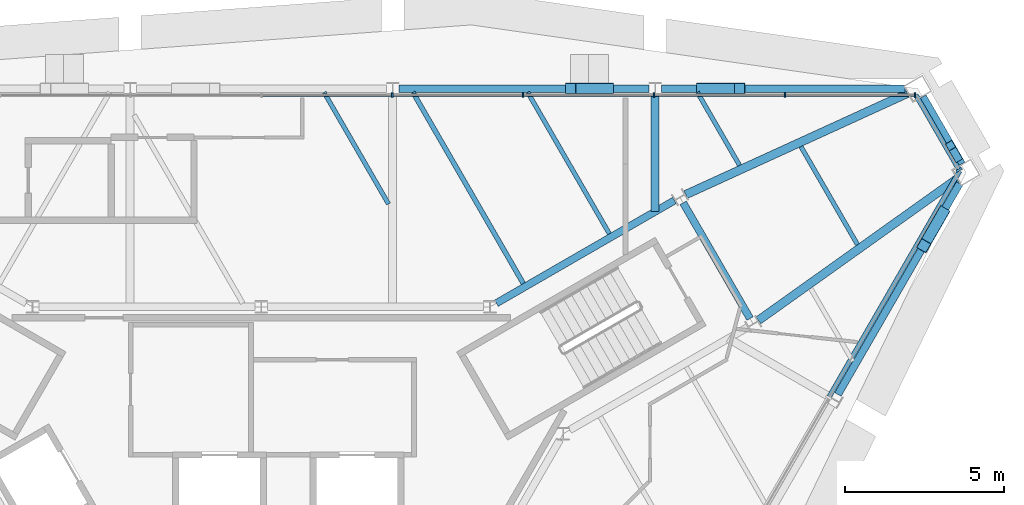
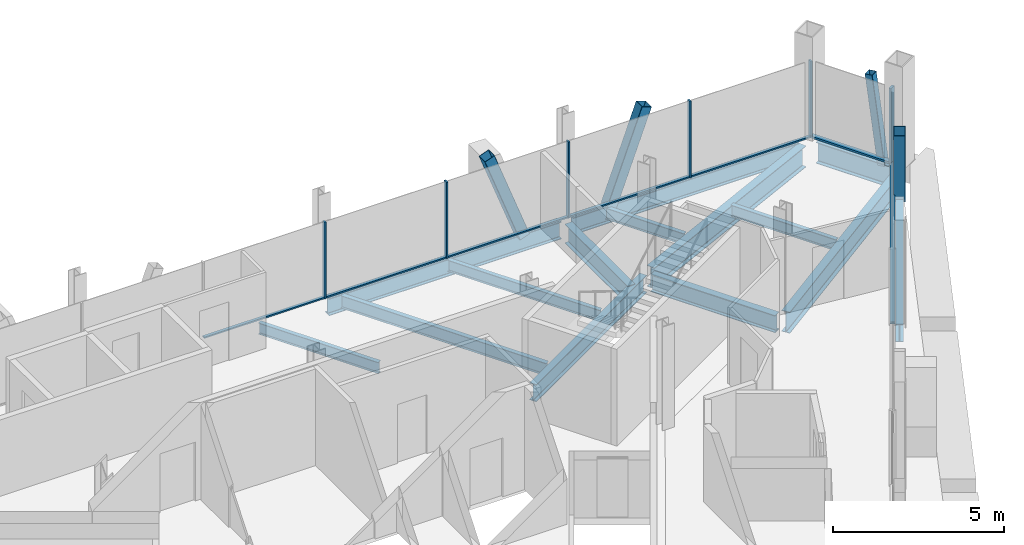
# One storey, part 6 of 11: 17 members, 14 beams, 3 elements without a shape of their own.
"""IFC4 building model written with IfcOpenShell, lengths in metres."""

from ifc_helpers import new_model, si_unit, direction, frame, origin, origin_2d, place, context, subcontext, project, spatial, rectangle, hollow_rectangle, i_section, extrude, material, material_profile, profile_set, type_object, element, aggregate, save


model = new_model("IFC4")

# Units and contexts
model_context = context("Model", 3, precision=1e-05, world=origin(), true_north=direction((0.0, 1.0)))
body_context = subcontext(model_context, "Body", "Model", "MODEL_VIEW")
ifc_project = project(units=[si_unit("LENGTHUNIT", "METRE"), si_unit("AREAUNIT", "SQUARE_METRE"), si_unit("VOLUMEUNIT", "CUBIC_METRE"), si_unit("PLANEANGLEUNIT", "RADIAN"), si_unit("MASSUNIT", "GRAM", prefix="KILO")], contexts=[model_context])

# Site, building, storey
site_placement = place(None, origin())
site = spatial("IfcSite", under=ifc_project, at=site_placement, CompositionType="ELEMENT")
building_placement = place(site_placement, origin())
building = spatial("IfcBuilding", under=site, at=building_placement, Name="Verrane Prism Tower", CompositionType="ELEMENT")
storey_placement = place(building_placement, frame((0.0, 0.0, 267.699951171875)))
storey = spatial("IfcBuildingStorey", under=building, at=storey_placement, Name="L67", CompositionType="ELEMENT", Elevation=267.699951171875)

# Member
ifc_material_1 = material(Name="Steel A500 Grade C", Category="steel")
ifc_material_profile_1 = material_profile(ifc_material_1, hollow_rectangle(XDim=0.25390625, YDim=0.25390625, WallThickness=0.009521484375, InnerFilletRadius=0.0048828125, OuterFilletRadius=0.014404296875, at=origin_2d()), Name="HSS10x10x3/8")
ifc_profile_set_1 = profile_set([ifc_material_profile_1], Name="Steel A500 Grade C")
member_type_1 = type_object("IfcMemberType", Name="Chamfer brace HSS10x10x3/8", PredefinedType="BRACE", material=ifc_profile_set_1)
member_1_placement = place(storey_placement, frame((21.846435546875, 11.493408203125, -0.242431640625), z_axis=(-0.067861913608, 0.117357529496, 0.990768374017), x_axis=(-0.865688187955, -0.500583620621, 0.0)))
element("IfcMember", 1, at=member_1_placement, inside=storey, type_object=member_type_1, Name="Chamfer brace NE0 L67", PredefinedType="BRACE", context=body_context, shape_type="SweptSolid", body=[
    extrude(hollow_rectangle(XDim=0.25390625, YDim=0.25390625, WallThickness=0.009521484375, InnerFilletRadius=0.0048828125, OuterFilletRadius=0.014404296875, at=origin_2d()), origin(), (0.0, 0.0, 1.0), 3.13720703125),
])

# Beams
ifc_material_2 = material(Name="Steel A992", Category="steel")
ifc_material_profile_2 = material_profile(ifc_material_2, i_section(OverallWidth=0.2666015625, OverallDepth=0.7568359375, WebThickness=0.013916015625, FlangeThickness=0.019287109375, FilletRadius=0.0166015625, at=origin_2d()), Name="W30x108")
ifc_profile_set_2 = profile_set([ifc_material_profile_2], Name="Steel A992")
beam_type_1 = type_object("IfcBeamType", Name="Chamfer spandrel beam W30x108", PredefinedType="SPANDREL", material=ifc_profile_set_2)
beam_1_placement = place(storey_placement, frame((21.969970703125, 11.27978515625, -0.538330078125), z_axis=(-0.500436097356, 0.865773476415, 0.0), x_axis=(-0.865773476415, -0.500436097356, 0.0)))
element("IfcBeam", 2, at=beam_1_placement, inside=storey, type_object=beam_type_1, Name="Chamfer spandrel beam L67", PredefinedType="SPANDREL", context=body_context, shape_type="SweptSolid", body=[
    extrude(i_section(OverallWidth=0.2666015625, OverallDepth=0.7568359375, WebThickness=0.013916015625, FlangeThickness=0.019287109375, FilletRadius=0.0166015625, at=origin_2d()), origin(), (0.0, 0.0, 1.0), 2.437744140625),
])
ifc_material_3 = material(Name="Steel A992", Category="steel")
ifc_material_profile_3 = material_profile(ifc_material_3, i_section(OverallWidth=0.23046875, OverallDepth=0.6171875, WebThickness=0.01318359375, FlangeThickness=0.022216796875, FilletRadius=0.012939453125, at=origin_2d()), Name="W24x94")
ifc_profile_set_3 = profile_set([ifc_material_profile_3], Name="Steel A992")
beam_type_2 = type_object("IfcBeamType", Name="Core ring girder W24x94", PredefinedType="BEAM", material=ifc_profile_set_3)
beam_2_placement = place(storey_placement, frame((15.339599609375, 6.43359375, -0.55859375), z_axis=(-0.500306681185, 0.865848268903, 0.0), x_axis=(-0.865848268903, -0.500306681185, 0.0)))
element("IfcBeam", 3, at=beam_2_placement, inside=storey, type_object=beam_type_2, Name="Core ring girder L67", PredefinedType="BEAM", context=body_context, shape_type="SweptSolid", body=[
    extrude(i_section(OverallWidth=0.23046875, OverallDepth=0.6171875, WebThickness=0.01318359375, FlangeThickness=0.022216796875, FilletRadius=0.012939453125, at=origin_2d()), origin(), (0.0, 0.0, 1.0), 4.195556640625),
])
beam_3_placement = place(storey_placement, frame((12.96728515625, 10.140380859375, -0.55859375), z_axis=(-0.866080992722, -0.499903704773, 0.0), x_axis=(0.499903704773, -0.866080992722, 0.0)))
element("IfcBeam", 4, at=beam_3_placement, inside=storey, type_object=beam_type_2, Name="Core ring girder L67", PredefinedType="BEAM", context=body_context, shape_type="SweptSolid", body=[
    extrude(i_section(OverallWidth=0.23046875, OverallDepth=0.6171875, WebThickness=0.01318359375, FlangeThickness=0.022216796875, FilletRadius=0.012939453125, at=origin_2d()), origin(), (0.0, 0.0, 1.0), 6.451904296875),
])
ifc_material_4 = material(Name="Steel A992", Category="steel")
ifc_material_profile_4 = material_profile(ifc_material_4, i_section(OverallWidth=0.2666015625, OverallDepth=0.7568359375, WebThickness=0.013916015625, FlangeThickness=0.019287109375, FilletRadius=0.0166015625, at=origin_2d()), Name="W30x108")
ifc_profile_set_4 = profile_set([ifc_material_profile_4], Name="Steel A992")
beam_type_3 = type_object("IfcBeamType", Name="Corner girder W30x108", PredefinedType="BEAM", material=ifc_profile_set_4)
for number, where, z_axis, x_axis, name in (
    (5, (21.833740234375, 10.81591796875, -0.598388671875), (-0.814401339816, -0.580302040067, 0.0), (0.580302040067, -0.814401339816, 0.0), "Corner girder L67"),
    (6, (20.2802734375, 13.50390625, -0.598388671875), (-0.909481370613, -0.415744677065, 0.0), (0.415744677065, -0.909481370613, 0.0), "Corner girder L67"),
):
    element("IfcBeam", number, at=place(storey_placement, frame(where, z_axis=z_axis, x_axis=x_axis)), inside=storey, type_object=beam_type_3, Name=name, PredefinedType="BEAM", context=body_context, shape_type="SweptSolid", body=[
        extrude(i_section(OverallWidth=0.2666015625, OverallDepth=0.7568359375, WebThickness=0.013916015625, FlangeThickness=0.019287109375, FilletRadius=0.0166015625, at=origin_2d()), origin(), (0.0, 0.0, 1.0), 7.650634765625),
    ])

# Members
ifc_material_5 = material(Name="Steel A500 Grade C", Category="steel")
ifc_material_profile_5 = material_profile(ifc_material_5, hollow_rectangle(XDim=0.355712890625, YDim=0.355712890625, WallThickness=0.0126953125, InnerFilletRadius=0.00634765625, OuterFilletRadius=0.01904296875, at=origin_2d()), Name="HSS14x14x1/2")
ifc_profile_set_5 = profile_set([ifc_material_profile_5], Name="Steel A500 Grade C")
member_type_2 = type_object("IfcMemberType", Name="Facade brace HSS14x14x1/2", PredefinedType="BRACE", material=ifc_profile_set_5)
for number, where, z_axis, x_axis, name in (
    (7, (13.826904296875, 13.64990234375, -0.216552734375), (0.34797434891, 0.0, 0.937504054658), (0.0, 1.0, 0.0), "Facade brace N0 L67"),
    (8, (10.893310546875, 13.64990234375, -0.216552734375), (-0.348037289442, 0.0, 0.937480690552), (0.0, -1.0, 0.0), "Facade brace N1 L67"),
):
    element("IfcMember", number, at=place(storey_placement, frame(where, z_axis=z_axis, x_axis=x_axis)), inside=storey, type_object=member_type_2, Name=name, PredefinedType="BRACE", context=body_context, shape_type="SweptSolid", body=[
        extrude(hollow_rectangle(XDim=0.355712890625, YDim=0.355712890625, WallThickness=0.0126953125, InnerFilletRadius=0.00634765625, OuterFilletRadius=0.01904296875, at=origin_2d()), origin(), (0.0, 0.0, 1.0), 3.4091796875),
    ])
member_2_placement = place(storey_placement, frame((21.38671875, 9.7490234375, -0.216552734375), z_axis=(-0.174010693257, -0.30154692564, 0.937437854084), x_axis=(0.86613421761, -0.499811481546, 0.0)))
element("IfcMember", 9, at=member_2_placement, inside=storey, type_object=member_type_2, Name="Facade brace SE4 L67", PredefinedType="BRACE", context=body_context, shape_type="SweptSolid", body=[
    extrude(hollow_rectangle(XDim=0.355712890625, YDim=0.355712890625, WallThickness=0.0126953125, InnerFilletRadius=0.00634765625, OuterFilletRadius=0.01904296875, at=origin_2d()), origin(), (0.0, 0.0, 1.0), 3.409423828125),
])

# Beams
ifc_material_6 = material(Name="Steel A992", Category="steel")
ifc_material_profile_6 = material_profile(ifc_material_6, i_section(OverallWidth=0.140380859375, OverallDepth=0.40380859375, WebThickness=0.007080078125, FlangeThickness=0.01123046875, FilletRadius=0.01025390625, at=origin_2d()), Name="W16x31")
ifc_profile_set_6 = profile_set([ifc_material_profile_6], Name="Steel A992")
beam_type_4 = type_object("IfcBeamType", Name="Floor beam W16x31", PredefinedType="BEAM", material=ifc_profile_set_6)
beam_4_placement = place(storey_placement, frame((15.01123046875, 11.2421875, -0.36181640625), z_axis=(-0.50007632508, 0.865981332994, 0.0), x_axis=(-0.865981332994, -0.50007632508, 0.0)))
element("IfcBeam", 10, at=beam_4_placement, inside=storey, type_object=beam_type_4, Name="Floor beam L67", PredefinedType="BEAM", context=body_context, shape_type="SweptSolid", body=[
    extrude(i_section(OverallWidth=0.140380859375, OverallDepth=0.40380859375, WebThickness=0.007080078125, FlangeThickness=0.01123046875, FilletRadius=0.01025390625, at=origin_2d()), origin(), (0.0, 0.0, 1.0), 2.6474609375),
])
beam_5_placement = place(storey_placement, frame((10.925048828125, 9.094482421875, -0.36181640625), z_axis=(-0.500005474671, 0.866022242959, 0.0), x_axis=(-0.866022242959, -0.500005474671, 0.0)))
element("IfcBeam", 11, at=beam_5_placement, inside=storey, type_object=beam_type_4, Name="Floor beam L67", PredefinedType="BEAM", context=body_context, shape_type="SweptSolid", body=[
    extrude(i_section(OverallWidth=0.140380859375, OverallDepth=0.40380859375, WebThickness=0.007080078125, FlangeThickness=0.01123046875, FilletRadius=0.01025390625, at=origin_2d()), origin(), (0.0, 0.0, 1.0), 5.12744140625),
])
beam_6_placement = place(storey_placement, frame((3.992919921875, 10.029296875, -0.36181640625), z_axis=(-0.499992196334, 0.866029909186, 0.0), x_axis=(-0.866029909186, -0.499992196334, 0.0)))
element("IfcBeam", 12, at=beam_6_placement, inside=storey, type_object=beam_type_4, Name="Floor beam L67", PredefinedType="BEAM", context=body_context, shape_type="SweptSolid", body=[
    extrude(i_section(OverallWidth=0.140380859375, OverallDepth=0.40380859375, WebThickness=0.007080078125, FlangeThickness=0.01123046875, FilletRadius=0.01025390625, at=origin_2d()), origin(), (0.0, 0.0, 1.0), 4.0478515625),
])
beam_7_placement = place(storey_placement, frame((18.712158203125, 8.755615234375, -0.36181640625), z_axis=(-0.499986454343, 0.866033224232, 0.0), x_axis=(-0.866033224232, -0.499986454343, 0.0)))
element("IfcBeam", 13, at=beam_7_placement, inside=storey, type_object=beam_type_4, Name="Floor beam L67", PredefinedType="BEAM", context=body_context, shape_type="SweptSolid", body=[
    extrude(i_section(OverallWidth=0.140380859375, OverallDepth=0.40380859375, WebThickness=0.007080078125, FlangeThickness=0.01123046875, FilletRadius=0.01025390625, at=origin_2d()), origin(), (0.0, 0.0, 1.0), 3.548828125),
])
ifc_material_7 = material(Name="Steel A992", Category="steel")
ifc_material_profile_7 = material_profile(ifc_material_7, i_section(OverallWidth=0.15234375, OverallDepth=0.449462890625, WebThickness=0.007568359375, FlangeThickness=0.0107421875, FilletRadius=0.01025390625, at=origin_2d()), Name="W18x35")
ifc_profile_set_7 = profile_set([ifc_material_profile_7], Name="Steel A992")
beam_type_5 = type_object("IfcBeamType", Name="Floor beam W18x35", PredefinedType="BEAM", material=ifc_profile_set_7)
beam_8_placement = place(storey_placement, frame((8.22265625, 7.53466796875, -0.384765625), z_axis=(-0.500012221024, 0.866018347858, 0.0), x_axis=(-0.866018347858, -0.500012221024, 0.0)))
element("IfcBeam", 14, at=beam_8_placement, inside=storey, type_object=beam_type_5, Name="Floor beam L67", PredefinedType="BEAM", context=body_context, shape_type="SweptSolid", body=[
    extrude(i_section(OverallWidth=0.15234375, OverallDepth=0.449462890625, WebThickness=0.007568359375, FlangeThickness=0.0107421875, FilletRadius=0.01025390625, at=origin_2d()), origin(), (0.0, 0.0, 1.0), 6.928466796875),
])

# Curtain wall, members
ifc_material_8 = material(Name="Aluminium framed insulated glazing", Category="aluminium")
curtain_wall_type_1 = type_object("IfcCurtainWallType", Name="Curtain wall CW-C 4200 module", PredefinedType="NOTDEFINED", material=ifc_material_8)
curtain_wall_1_placement = place(storey_placement, origin())
curtain_wall_1 = element("IfcCurtainWall", 15, at=curtain_wall_1_placement, inside=storey, type_object=curtain_wall_type_1, Name="Glazed curtain wall north face L67", PredefinedType="NOTDEFINED")
ifc_material_9 = material(Name="Aluminium alloy 6063-T6", Category="aluminium")
ifc_material_profile_8 = material_profile(ifc_material_9, rectangle(XDim=0.139892578125, YDim=0.050048828125, at=origin_2d()), Name="Mullion 50x140 aluminium")
ifc_profile_set_8 = profile_set([ifc_material_profile_8], Name="Aluminium alloy 6063-T6")
member_type_3 = type_object("IfcMemberType", Name="Mullion 50x140 aluminium", PredefinedType="MULLION", material=ifc_profile_set_8)
member_3_placement = place(storey_placement, frame((20.52099609375, 13.447265625, 0.0), z_axis=(0.0, 0.0, 1.0), x_axis=(0.0, -1.0, 0.0)))
member_3 = element("IfcMember", 16, at=member_3_placement, type_object=member_type_3, Name="CW66.2 mullion 1", PredefinedType="MULLION", context=body_context, shape_type="SweptSolid", body=[
    extrude(rectangle(XDim=0.139892578125, YDim=0.050048828125, at=origin_2d()), origin(), (0.0, 0.0, 1.0), 2.72314453125),
])
member_4_placement = place(storey_placement, frame((16.436767578125, 13.447265625, 0.0), z_axis=(0.0, 0.0, 1.0), x_axis=(0.0, -1.0, 0.0)))
member_4 = element("IfcMember", 17, at=member_4_placement, type_object=member_type_3, Name="CW66.2 mullion 2", PredefinedType="MULLION", context=body_context, shape_type="SweptSolid", body=[
    extrude(rectangle(XDim=0.139892578125, YDim=0.050048828125, at=origin_2d()), origin(), (0.0, 0.0, 1.0), 2.72314453125),
])
member_5_placement = place(storey_placement, frame((12.32763671875, 13.447265625, 0.0), z_axis=(0.0, 0.0, 1.0), x_axis=(0.0, -1.0, 0.0)))
member_5 = element("IfcMember", 18, at=member_5_placement, type_object=member_type_3, Name="CW66.2 mullion 3", PredefinedType="MULLION", context=body_context, shape_type="SweptSolid", body=[
    extrude(rectangle(XDim=0.139892578125, YDim=0.050048828125, at=origin_2d()), origin(), (0.0, 0.0, 1.0), 2.72314453125),
])
member_6_placement = place(storey_placement, frame((8.218505859375, 13.447265625, 0.0), z_axis=(0.0, 0.0, 1.0), x_axis=(0.0, -1.0, 0.0)))
member_6 = element("IfcMember", 19, at=member_6_placement, type_object=member_type_3, Name="CW66.2 mullion 4", PredefinedType="MULLION", context=body_context, shape_type="SweptSolid", body=[
    extrude(rectangle(XDim=0.139892578125, YDim=0.050048828125, at=origin_2d()), origin(), (0.0, 0.0, 1.0), 2.72314453125),
])
member_7_placement = place(storey_placement, frame((4.109130859375, 13.447265625, 0.0), z_axis=(0.0, 0.0, 1.0), x_axis=(0.0, -1.0, 0.0)))
member_7 = element("IfcMember", 20, at=member_7_placement, type_object=member_type_3, Name="CW66.2 mullion 5", PredefinedType="MULLION", context=body_context, shape_type="SweptSolid", body=[
    extrude(rectangle(XDim=0.139892578125, YDim=0.050048828125, at=origin_2d()), origin(), (0.0, 0.0, 1.0), 2.72314453125),
])

# Curtain wall, member
ifc_material_10 = material(Name="Aluminium framed insulated glazing", Category="aluminium")
curtain_wall_type_2 = type_object("IfcCurtainWallType", Name="Curtain wall CW-A 8400 module", PredefinedType="NOTDEFINED", material=ifc_material_10)
curtain_wall_2_placement = place(storey_placement, origin())
curtain_wall_2 = element("IfcCurtainWall", 21, at=curtain_wall_2_placement, inside=storey, type_object=curtain_wall_type_2, Name="Glazed curtain wall north-east corner L67", PredefinedType="NOTDEFINED")
ifc_material_11 = material(Name="Aluminium alloy 6063-T6", Category="aluminium")
ifc_material_profile_9 = material_profile(ifc_material_11, rectangle(XDim=0.199951171875, YDim=0.070068359375, at=origin_2d()), Name="Mullion 70x200 aluminium")
ifc_profile_set_9 = profile_set([ifc_material_profile_9], Name="Aluminium alloy 6063-T6")
member_type_4 = type_object("IfcMemberType", Name="Mullion 70x200 aluminium", PredefinedType="MULLION", material=ifc_profile_set_9)
member_8_placement = place(storey_placement, frame((21.901123046875, 11.10009765625, 0.0), z_axis=(0.0, 0.0, 1.0), x_axis=(-0.866024225493, -0.500002040855, 0.0)))
member_8 = element("IfcMember", 22, at=member_8_placement, type_object=member_type_4, Name="CW66.1 mullion 1", PredefinedType="MULLION", context=body_context, shape_type="SweptSolid", body=[
    extrude(rectangle(XDim=0.199951171875, YDim=0.070068359375, at=origin_2d()), origin(), (0.0, 0.0, 1.0), 2.72314453125),
])

# Beams
ifc_material_12 = material(Name="Steel A992", Category="steel")
ifc_material_profile_10 = material_profile(ifc_material_12, i_section(OverallWidth=0.25390625, OverallDepth=0.683349609375, WebThickness=0.012451171875, FlangeThickness=0.01904296875, FilletRadius=0.01513671875, at=origin_2d()), Name="W27x94")
ifc_profile_set_10 = profile_set([ifc_material_profile_10], Name="Steel A992")
beam_type_6 = type_object("IfcBeamType", Name="Radial girder W27x94", PredefinedType="BEAM", material=ifc_profile_set_10)
beam_9_placement = place(storey_placement, frame((12.360107421875, 13.4619140625, -0.5615234375), z_axis=(0.0, -1.0, 0.0), x_axis=(1.0, 0.0, 0.0)))
element("IfcBeam", 23, at=beam_9_placement, inside=storey, type_object=beam_type_6, Name="Radial girder L67", PredefinedType="BEAM", context=body_context, shape_type="SweptSolid", body=[
    extrude(i_section(OverallWidth=0.25390625, OverallDepth=0.683349609375, WebThickness=0.012451171875, FlangeThickness=0.01904296875, FilletRadius=0.01513671875, at=origin_2d()), origin(), (0.0, 0.0, 1.0), 3.672119140625),
])
ifc_material_13 = material(Name="Steel A992", Category="steel")
ifc_material_profile_11 = material_profile(ifc_material_13, i_section(OverallWidth=0.23046875, OverallDepth=0.6171875, WebThickness=0.01318359375, FlangeThickness=0.022216796875, FilletRadius=0.012939453125, at=origin_2d()), Name="W24x94")
ifc_profile_set_11 = profile_set([ifc_material_profile_11], Name="Steel A992")
beam_type_7 = type_object("IfcBeamType", Name="Spandrel beam W24x94", PredefinedType="SPANDREL", material=ifc_profile_set_11)
beam_10_placement = place(storey_placement, frame((20.19580078125, 13.64990234375, -0.468505859375), z_axis=(-1.0, 0.0, 0.0), x_axis=(0.0, -1.0, 0.0)))
element("IfcBeam", 24, at=beam_10_placement, inside=storey, type_object=beam_type_7, Name="Spandrel beam L67", PredefinedType="SPANDREL", context=body_context, shape_type="SweptSolid", body=[
    extrude(i_section(OverallWidth=0.23046875, OverallDepth=0.6171875, WebThickness=0.01318359375, FlangeThickness=0.022216796875, FilletRadius=0.012939453125, at=origin_2d()), origin(), (0.0, 0.0, 1.0), 7.638916015625),
])
beam_11_placement = place(storey_placement, frame((12.1630859375, 13.64990234375, -0.468505859375), z_axis=(-1.0, 0.0, 0.0), x_axis=(0.0, -1.0, 0.0)))
element("IfcBeam", 25, at=beam_11_placement, inside=storey, type_object=beam_type_7, Name="Spandrel beam L67", PredefinedType="SPANDREL", context=body_context, shape_type="SweptSolid", body=[
    extrude(i_section(OverallWidth=0.23046875, OverallDepth=0.6171875, WebThickness=0.01318359375, FlangeThickness=0.022216796875, FilletRadius=0.012939453125, at=origin_2d()), origin(), (0.0, 0.0, 1.0), 7.84619140625),
])
beam_12_placement = place(storey_placement, frame((18.098388671875, 4.050537109375, -0.468505859375), z_axis=(0.499791590914, 0.866145695395, 0.0), x_axis=(-0.866145695395, 0.499791590914, 0.0)))
element("IfcBeam", 26, at=beam_12_placement, inside=storey, type_object=beam_type_7, Name="Spandrel beam L67", PredefinedType="SPANDREL", context=body_context, shape_type="SweptSolid", body=[
    extrude(i_section(OverallWidth=0.23046875, OverallDepth=0.6171875, WebThickness=0.01318359375, FlangeThickness=0.022216796875, FilletRadius=0.012939453125, at=origin_2d()), origin(), (0.0, 0.0, 1.0), 7.642333984375),
])

# Member
ifc_material_14 = material(Name="Aluminium alloy 6063-T6", Category="aluminium")
ifc_material_profile_12 = material_profile(ifc_material_14, rectangle(XDim=0.10009765625, YDim=0.050048828125, at=origin_2d()), Name="Transom 50x100 aluminium")
ifc_profile_set_12 = profile_set([ifc_material_profile_12], Name="Aluminium alloy 6063-T6")
member_type_5 = type_object("IfcMemberType", Name="Transom 50x100 aluminium", PredefinedType="USERDEFINED", material=ifc_profile_set_12)
member_9_placement = place(storey_placement, frame((20.49609375, 13.447265625, 0.025146484375), z_axis=(-1.0, 0.0, 0.0), x_axis=(0.0, -1.0, 0.0)))
member_9 = element("IfcMember", 27, at=member_9_placement, type_object=member_type_5, Name="CW66.2 transom 1", ObjectType="TRANSOM", PredefinedType="USERDEFINED", context=body_context, shape_type="SweptSolid", body=[
    extrude(rectangle(XDim=0.10009765625, YDim=0.050048828125, at=origin_2d()), origin(), (0.0, 0.0, 1.0), 4.0341796875),
])

member_10_placement = place(storey_placement, frame((16.411865234375, 13.447265625, 0.025146484375), z_axis=(-1.0, 0.0, 0.0), x_axis=(0.0, -1.0, 0.0)))
member_10 = element("IfcMember", 28, at=member_10_placement, type_object=member_type_5, Name="CW66.2 transom 2", ObjectType="TRANSOM", PredefinedType="USERDEFINED", context=body_context, shape_type="SweptSolid", body=[
    extrude(rectangle(XDim=0.10009765625, YDim=0.050048828125, at=origin_2d()), origin(), (0.0, 0.0, 1.0), 4.059326171875),
])

member_11_placement = place(storey_placement, frame((12.302734375, 13.447265625, 0.025146484375), z_axis=(-1.0, 0.0, 0.0), x_axis=(0.0, -1.0, 0.0)))
member_11 = element("IfcMember", 29, at=member_11_placement, type_object=member_type_5, Name="CW66.2 transom 3", ObjectType="TRANSOM", PredefinedType="USERDEFINED", context=body_context, shape_type="SweptSolid", body=[
    extrude(rectangle(XDim=0.10009765625, YDim=0.050048828125, at=origin_2d()), origin(), (0.0, 0.0, 1.0), 4.059326171875),
])

member_12_placement = place(storey_placement, frame((8.193359375, 13.447265625, 0.025146484375), z_axis=(-1.0, 0.0, 0.0), x_axis=(0.0, -1.0, 0.0)))
member_12 = element("IfcMember", 30, at=member_12_placement, type_object=member_type_5, Name="CW66.2 transom 4", ObjectType="TRANSOM", PredefinedType="USERDEFINED", context=body_context, shape_type="SweptSolid", body=[
    extrude(rectangle(XDim=0.10009765625, YDim=0.050048828125, at=origin_2d()), origin(), (0.0, 0.0, 1.0), 4.05908203125),
])

member_13_placement = place(storey_placement, frame((4.084228515625, 13.447265625, 0.025146484375), z_axis=(-1.0, 0.0, 0.0), x_axis=(0.0, -1.0, 0.0)))
member_13 = element("IfcMember", 31, at=member_13_placement, type_object=member_type_5, Name="CW66.2 transom 5", ObjectType="TRANSOM", PredefinedType="USERDEFINED", context=body_context, shape_type="SweptSolid", body=[
    extrude(rectangle(XDim=0.10009765625, YDim=0.050048828125, at=origin_2d()), origin(), (0.0, 0.0, 1.0), 4.059326171875),
])

aggregate(curtain_wall_1, [member_3, member_4, member_5, member_6, member_7, member_9, member_10, member_11, member_12, member_13])

ifc_material_15 = material(Name="Aluminium alloy 6063-T6", Category="aluminium")
ifc_material_profile_13 = material_profile(ifc_material_15, rectangle(XDim=0.14990234375, YDim=0.070068359375, at=origin_2d()), Name="Transom 70x150 aluminium")
ifc_profile_set_13 = profile_set([ifc_material_profile_13], Name="Aluminium alloy 6063-T6")
member_type_6 = type_object("IfcMemberType", Name="Transom 70x150 aluminium", PredefinedType="USERDEFINED", material=ifc_profile_set_13)
member_14_placement = place(storey_placement, frame((21.8837890625, 11.13037109375, 0.03515625), z_axis=(-0.499996300355, 0.866027539765, 0.0), x_axis=(-0.866027539765, -0.499996300355, 0.0)))
member_14 = element("IfcMember", 32, at=member_14_placement, type_object=member_type_6, Name="CW66.1 transom 1", ObjectType="TRANSOM", PredefinedType="USERDEFINED", context=body_context, shape_type="SweptSolid", body=[
    extrude(rectangle(XDim=0.14990234375, YDim=0.070068359375, at=origin_2d()), origin(), (0.0, 0.0, 1.0), 2.67529296875),
])

aggregate(curtain_wall_2, [member_8, member_14])

# Curtain wall, member
curtain_wall_3_placement = place(storey_placement, origin())
curtain_wall_3 = element("IfcCurtainWall", 33, at=curtain_wall_3_placement, inside=storey, type_object=curtain_wall_type_2, Name="Glazed curtain wall south-east face L67", PredefinedType="NOTDEFINED")
member_15_placement = place(storey_placement, frame((17.826904296875, 3.982666015625, 0.03515625), z_axis=(0.500002215902, 0.866024124429, 0.0), x_axis=(-0.866024124429, 0.500002215902, 0.0)))
member_15 = element("IfcMember", 34, at=member_15_placement, type_object=member_type_6, Name="CW66.6 transom 5", ObjectType="TRANSOM", PredefinedType="USERDEFINED", context=body_context, shape_type="SweptSolid", body=[
    extrude(rectangle(XDim=0.14990234375, YDim=0.070068359375, at=origin_2d()), origin(), (0.0, 0.0, 1.0), 8.18359375),
])
aggregate(curtain_wall_3, [member_15])

save(model, "model.ifc")
